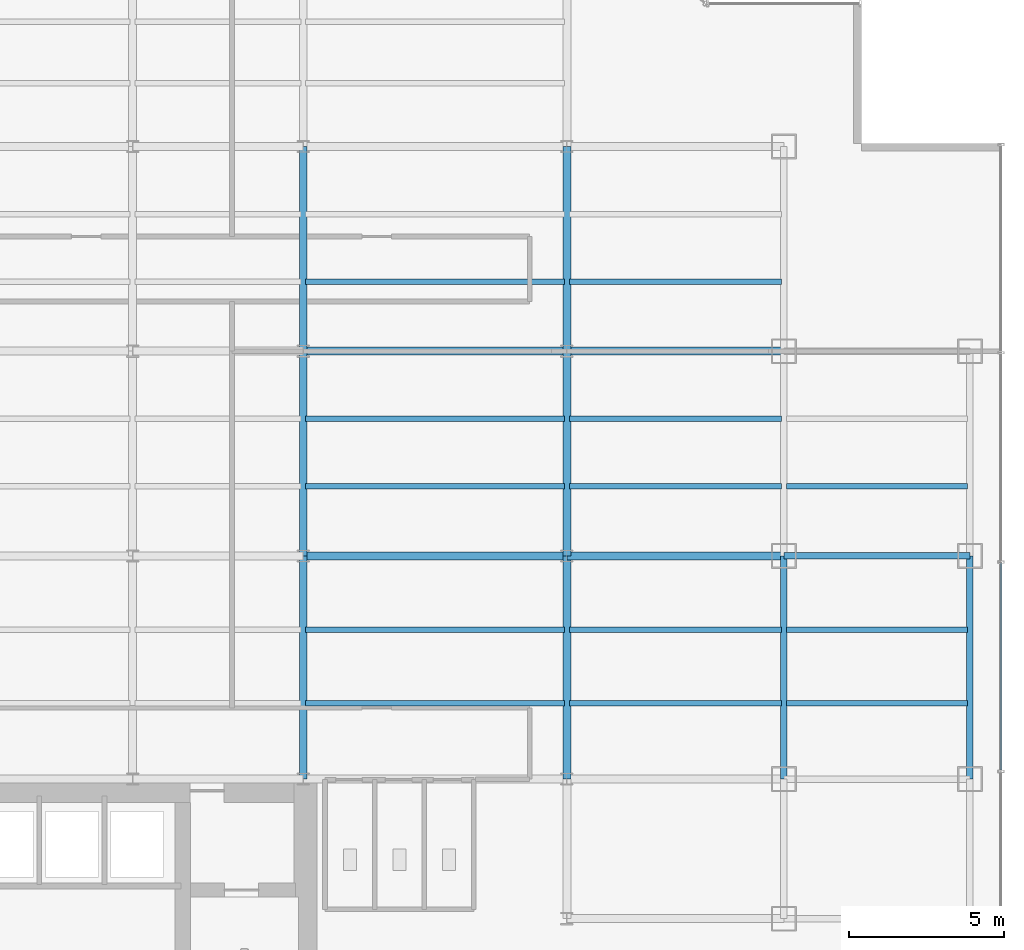
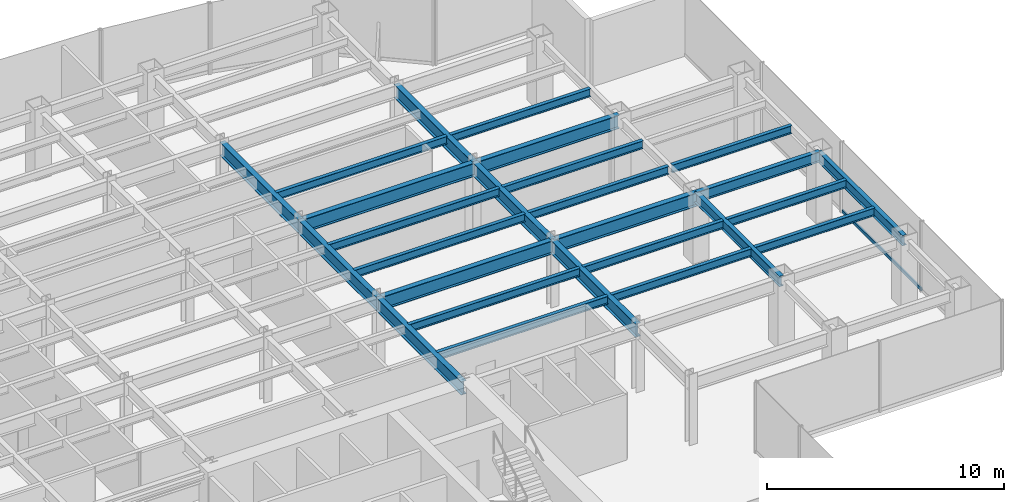
# One storey, part 11 of 26: 26 beams, 1 member, 1 element without a shape of its own.
"""IFC4 building model written with IfcOpenShell, lengths in metres."""

from ifc_helpers import new_model, si_unit, derived_unit, direction, frame, origin, origin_2d, place, context, subcontext, project, spatial, hollow_rectangle, i_section, extrude, source, transform, mapped, material, material_profile, profile_set, type_object, element, aggregate, save


model = new_model("IFC4")

# Units and contexts
model_context = context("Model", 3, precision=1e-05, world=origin(), true_north=direction((0.0, 1.0)))
body_context = subcontext(model_context, "Body", "Model", "MODEL_VIEW")
ifc_project = project(units=[si_unit("LENGTHUNIT", "METRE"), si_unit("AREAUNIT", "SQUARE_METRE"), si_unit("VOLUMEUNIT", "CUBIC_METRE"), si_unit("PLANEANGLEUNIT", "RADIAN"), si_unit("MASSUNIT", "GRAM", prefix="KILO"), derived_unit("THERMALTRANSMITTANCEUNIT", [(si_unit("POWERUNIT", "WATT"), 1), (si_unit("LENGTHUNIT", "METRE"), -2), (si_unit("THERMODYNAMICTEMPERATUREUNIT", "KELVIN"), -1)])], contexts=[model_context])

# Site, building, storey
site_placement = place(None, origin())
site = spatial("IfcSite", under=ifc_project, at=site_placement, CompositionType="ELEMENT")
building_placement = place(site_placement, origin())
building = spatial("IfcBuilding", under=site, at=building_placement, Name="Skarnbrae Concourse Arena and Tower", CompositionType="ELEMENT")
storey_placement = place(building_placement, frame((0.0, 0.0, 110.550048828125)))
storey = spatial("IfcBuildingStorey", under=building, at=storey_placement, Name="L27", CompositionType="ELEMENT", Elevation=110.550048828125)

# Beams
ifc_material_1 = material(Name="Steel CSA G40.21 350W", Category="steel")
ifc_material_profile_1 = material_profile(ifc_material_1, i_section(OverallWidth=0.256103515625, OverallDepth=0.693115234375, WebThickness=0.014404296875, FlangeThickness=0.023681640625, at=origin_2d()), Name="W690X170")
ifc_profile_set_1 = profile_set([ifc_material_profile_1], Name="Steel CSA G40.21 350W")
beam_type_1 = type_object("IfcBeamType", Name="BM-GIRD-W690X170", PredefinedType="BEAM", material=ifc_profile_set_1)
shared_shape_1 = source(origin(), body_context, "Body", "SweptSolid", [
    extrude(i_section(OverallWidth=0.256103515625, OverallDepth=0.693115234375, WebThickness=0.014404296875, FlangeThickness=0.023681640625, at=origin_2d()), origin(), (0.0, 0.0, 1.0), 7.0),
])
for number, where, z_axis, x_axis, name in (
    (1, (42.0, 21.199951171875, 3.053466796875), (1.0, 0.0, 0.0), (0.0, 1.0, 0.0), "L27 Primary E-W girder Y21.2-7"),
    (2, (42.0, 27.800048828125, 3.053466796875), (1.0, 0.0, 0.0), (0.0, 1.0, 0.0), "L27 Primary E-W girder Y27.8-7"),
):
    element("IfcBeam", number, at=place(storey_placement, frame(where, z_axis=z_axis, x_axis=x_axis)), inside=storey, type_object=beam_type_1, Name=name, PredefinedType="BEAM", context=body_context, shape_type="MappedRepresentation", body=[
        mapped(shared_shape_1, transform((0.0, 0.0, 0.0))),
    ])
ifc_material_profile_2 = material_profile(ifc_material_1, i_section(OverallWidth=0.208984375, OverallDepth=0.532958984375, WebThickness=0.01025390625, FlangeThickness=0.015625, at=origin_2d()), Name="W530X92")
ifc_profile_set_2 = profile_set([ifc_material_profile_2], Name="Steel CSA G40.21 350W")
beam_type_2 = type_object("IfcBeamType", Name="BM-SPAN-W530X92", PredefinedType="SPANDREL", material=ifc_profile_set_2)
shared_shape_2 = source(origin(), body_context, "Body", "SweptSolid", [
    extrude(i_section(OverallWidth=0.208984375, OverallDepth=0.532958984375, WebThickness=0.01025390625, FlangeThickness=0.015625, at=origin_2d()), origin(), (0.0, 0.0, 1.0), 6.0),
])
beam_placement = place(storey_placement, frame((49.0, 21.199951171875, 3.133544921875), z_axis=(1.0, 0.0, 0.0), x_axis=(0.0, 1.0, 0.0)))
element("IfcBeam", 3, at=beam_placement, inside=storey, type_object=beam_type_2, Name="L27 Perimeter spandrel Y21.2-8", PredefinedType="SPANDREL", context=body_context, shape_type="MappedRepresentation", body=[
    mapped(shared_shape_2, transform((0.0, 0.0, 0.0))),
])
shared_shape_3 = source(origin(), body_context, "Body", "SweptSolid", [
    extrude(i_section(OverallWidth=0.256103515625, OverallDepth=0.693115234375, WebThickness=0.014404296875, FlangeThickness=0.023681640625, at=origin_2d()), origin(), (0.0, 0.0, 1.0), 6.60009765625),
])
for number, where, z_axis, x_axis, name in (
    (4, (33.5, 21.199951171875, 3.053466796875), (0.0, 1.0, 0.0), (-1.0, 0.0, 0.0), "L27 Primary N-S girder X33.5-2"),
    (5, (42.0, 21.199951171875, 3.053466796875), (0.0, 1.0, 0.0), (-1.0, 0.0, 0.0), "L27 Primary N-S girder X42.0-3"),
):
    element("IfcBeam", number, at=place(storey_placement, frame(where, z_axis=z_axis, x_axis=x_axis)), inside=storey, type_object=beam_type_1, Name=name, PredefinedType="BEAM", context=body_context, shape_type="MappedRepresentation", body=[
        mapped(shared_shape_3, transform((0.0, 0.0, 0.0))),
    ])
shared_shape_4 = source(origin(), body_context, "Body", "SweptSolid", [
    extrude(i_section(OverallWidth=0.256103515625, OverallDepth=0.693115234375, WebThickness=0.014404296875, FlangeThickness=0.023681640625, at=origin_2d()), origin(), (0.0, 0.0, 1.0), 8.5),
])
for number, where, z_axis, x_axis, name in (
    (6, (33.5, 21.199951171875, 3.053466796875), (1.0, 0.0, 0.0), (0.0, 1.0, 0.0), "L27 Primary E-W girder Y21.2-6"),
    (7, (33.5, 27.800048828125, 3.053466796875), (1.0, 0.0, 0.0), (0.0, 1.0, 0.0), "L27 Primary E-W girder Y27.8-6"),
):
    element("IfcBeam", number, at=place(storey_placement, frame(where, z_axis=z_axis, x_axis=x_axis)), inside=storey, type_object=beam_type_1, Name=name, PredefinedType="BEAM", context=body_context, shape_type="MappedRepresentation", body=[
        mapped(shared_shape_4, transform((0.0, 0.0, 0.0))),
    ])
shared_shape_5 = source(origin(), body_context, "Body", "SweptSolid", [
    extrude(i_section(OverallWidth=0.208984375, OverallDepth=0.532958984375, WebThickness=0.01025390625, FlangeThickness=0.015625, at=origin_2d()), origin(), (0.0, 0.0, 1.0), 7.199951171875),
])
for number, where, z_axis, x_axis, name in (
    (8, (49.0, 14.0, 3.133544921875), (0.0, 1.0, 0.0), (-1.0, 0.0, 0.0), "L27 Perimeter spandrel X49.0-2"),
    (9, (55.0, 14.0, 3.133544921875), (0.0, 1.0, 0.0), (-1.0, 0.0, 0.0), "L27 Perimeter spandrel X55.0-2"),
):
    element("IfcBeam", number, at=place(storey_placement, frame(where, z_axis=z_axis, x_axis=x_axis)), inside=storey, type_object=beam_type_2, Name=name, PredefinedType="SPANDREL", context=body_context, shape_type="MappedRepresentation", body=[
        mapped(shared_shape_5, transform((0.0, 0.0, 0.0))),
    ])
shared_shape_6 = source(origin(), body_context, "Body", "SweptSolid", [
    extrude(i_section(OverallWidth=0.256103515625, OverallDepth=0.693115234375, WebThickness=0.014404296875, FlangeThickness=0.023681640625, at=origin_2d()), origin(), (0.0, 0.0, 1.0), 7.199951171875),
])
for number, where, z_axis, x_axis, name in (
    (10, (33.5, 14.0, 3.053466796875), (0.0, 1.0, 0.0), (-1.0, 0.0, 0.0), "L27 Primary N-S girder X33.5-1"),
    (11, (42.0, 14.0, 3.053466796875), (0.0, 1.0, 0.0), (-1.0, 0.0, 0.0), "L27 Primary N-S girder X42.0-2"),
):
    element("IfcBeam", number, at=place(storey_placement, frame(where, z_axis=z_axis, x_axis=x_axis)), inside=storey, type_object=beam_type_1, Name=name, PredefinedType="BEAM", context=body_context, shape_type="MappedRepresentation", body=[
        mapped(shared_shape_6, transform((0.0, 0.0, 0.0))),
    ])
shared_shape_7 = source(origin(), body_context, "Body", "SweptSolid", [
    extrude(i_section(OverallWidth=0.256103515625, OverallDepth=0.693115234375, WebThickness=0.014404296875, FlangeThickness=0.023681640625, at=origin_2d()), origin(), (0.0, 0.0, 1.0), 6.599853515625),
])
for number, where, z_axis, x_axis, name in (
    (12, (33.5, 27.800048828125, 3.053466796875), (0.0, 1.0, 0.0), (-1.0, 0.0, 0.0), "L27 Primary N-S girder X33.5-3"),
    (13, (42.0, 27.800048828125, 3.053466796875), (0.0, 1.0, 0.0), (-1.0, 0.0, 0.0), "L27 Primary N-S girder X42.0-4"),
):
    element("IfcBeam", number, at=place(storey_placement, frame(where, z_axis=z_axis, x_axis=x_axis)), inside=storey, type_object=beam_type_1, Name=name, PredefinedType="BEAM", context=body_context, shape_type="MappedRepresentation", body=[
        mapped(shared_shape_7, transform((0.0, 0.0, 0.0))),
    ])
ifc_material_profile_3 = material_profile(ifc_material_1, i_section(OverallWidth=0.177978515625, OverallDepth=0.406982421875, WebThickness=0.0078125, FlangeThickness=0.0126953125, at=origin_2d()), Name="W410X60")
ifc_profile_set_3 = profile_set([ifc_material_profile_3], Name="Steel CSA G40.21 350W")
beam_type_3 = type_object("IfcBeamType", Name="BM-JOIST-W410X60", PredefinedType="JOIST", material=ifc_profile_set_3)
shared_shape_8 = source(origin(), body_context, "Body", "SweptSolid", [
    extrude(i_section(OverallWidth=0.177978515625, OverallDepth=0.406982421875, WebThickness=0.0078125, FlangeThickness=0.0126953125, at=origin_2d()), origin(), (0.0, 0.0, 1.0), 8.33984375),
])
for number, where, z_axis, x_axis, name in (
    (14, (33.580078125, 16.447998046875, 3.196533203125), (1.0, 0.0, 0.0), (0.0, 1.0, 0.0), "L27 Secondary floor joist 1.1.6"),
    (15, (33.580078125, 18.823974609375, 3.196533203125), (1.0, 0.0, 0.0), (0.0, 1.0, 0.0), "L27 Secondary floor joist 1.2.6"),
    (16, (33.580078125, 23.444091796875, 3.196533203125), (1.0, 0.0, 0.0), (0.0, 1.0, 0.0), "L27 Secondary floor joist 2.1.6"),
    (17, (33.580078125, 25.6220703125, 3.196533203125), (1.0, 0.0, 0.0), (0.0, 1.0, 0.0), "L27 Secondary floor joist 2.2.6"),
    (18, (33.580078125, 30.0439453125, 3.196533203125), (1.0, 0.0, 0.0), (0.0, 1.0, 0.0), "L27 Secondary floor joist 3.1.5"),
):
    element("IfcBeam", number, at=place(storey_placement, frame(where, z_axis=z_axis, x_axis=x_axis)), inside=storey, type_object=beam_type_3, Name=name, PredefinedType="JOIST", context=body_context, shape_type="MappedRepresentation", body=[
        mapped(shared_shape_8, transform((0.0, 0.0, 0.0))),
    ])
shared_shape_9 = source(origin(), body_context, "Body", "SweptSolid", [
    extrude(i_section(OverallWidth=0.177978515625, OverallDepth=0.406982421875, WebThickness=0.0078125, FlangeThickness=0.0126953125, at=origin_2d()), origin(), (0.0, 0.0, 1.0), 6.83984375),
])
for number, where, z_axis, x_axis, name in (
    (19, (42.080078125, 16.447998046875, 3.196533203125), (1.0, 0.0, 0.0), (0.0, 1.0, 0.0), "L27 Secondary floor joist 1.1.7"),
    (20, (42.080078125, 18.823974609375, 3.196533203125), (1.0, 0.0, 0.0), (0.0, 1.0, 0.0), "L27 Secondary floor joist 1.2.7"),
    (21, (42.080078125, 23.444091796875, 3.196533203125), (1.0, 0.0, 0.0), (0.0, 1.0, 0.0), "L27 Secondary floor joist 2.1.7"),
    (22, (42.080078125, 25.6220703125, 3.196533203125), (1.0, 0.0, 0.0), (0.0, 1.0, 0.0), "L27 Secondary floor joist 2.2.7"),
    (23, (42.080078125, 30.0439453125, 3.196533203125), (1.0, 0.0, 0.0), (0.0, 1.0, 0.0), "L27 Secondary floor joist 3.1.6"),
):
    element("IfcBeam", number, at=place(storey_placement, frame(where, z_axis=z_axis, x_axis=x_axis)), inside=storey, type_object=beam_type_3, Name=name, PredefinedType="JOIST", context=body_context, shape_type="MappedRepresentation", body=[
        mapped(shared_shape_9, transform((0.0, 0.0, 0.0))),
    ])
shared_shape_10 = source(origin(), body_context, "Body", "SweptSolid", [
    extrude(i_section(OverallWidth=0.177978515625, OverallDepth=0.406982421875, WebThickness=0.0078125, FlangeThickness=0.0126953125, at=origin_2d()), origin(), (0.0, 0.0, 1.0), 5.83984375),
])
for number, where, z_axis, x_axis, name in (
    (24, (49.080078125, 16.447998046875, 3.196533203125), (1.0, 0.0, 0.0), (0.0, 1.0, 0.0), "L27 Secondary floor joist 1.1.8"),
    (25, (49.080078125, 18.823974609375, 3.196533203125), (1.0, 0.0, 0.0), (0.0, 1.0, 0.0), "L27 Secondary floor joist 1.2.8"),
    (26, (49.080078125, 23.444091796875, 3.196533203125), (1.0, 0.0, 0.0), (0.0, 1.0, 0.0), "L27 Secondary floor joist 2.1.8"),
):
    element("IfcBeam", number, at=place(storey_placement, frame(where, z_axis=z_axis, x_axis=x_axis)), inside=storey, type_object=beam_type_3, Name=name, PredefinedType="JOIST", context=body_context, shape_type="MappedRepresentation", body=[
        mapped(shared_shape_10, transform((0.0, 0.0, 0.0))),
    ])

# Curtain wall, member
ifc_material_2 = material(Name="Bronze anodised aluminium 6063-T6", Category="aluminium")
curtain_wall_type = type_object("IfcCurtainWallType", Name="CW-SYS-04-MIDZONE", PredefinedType="USERDEFINED", material=ifc_material_2)
curtain_wall_placement = place(storey_placement, origin())
curtain_wall = element("IfcCurtainWall", 27, at=curtain_wall_placement, inside=storey, type_object=curtain_wall_type, Name="L27 Unitised curtain wall CW-L27-E04", ObjectType="UNITISED CURTAIN WALL", PredefinedType="USERDEFINED")
ifc_material_profile_4 = material_profile(ifc_material_2, hollow_rectangle(XDim=0.074951171875, YDim=0.159912109375, WallThickness=0.00439453125, at=origin_2d()), Name="ALU-TRAN-75X160")
ifc_profile_set_4 = profile_set([ifc_material_profile_4], Name="Bronze anodised aluminium 6063-T6")
member_type = type_object("IfcMemberType", Name="CWT-CW-04", PredefinedType="USERDEFINED", material=ifc_profile_set_4)
shared_shape_11 = source(origin(), body_context, "Body", "SweptSolid", [
    extrude(hollow_rectangle(XDim=0.074951171875, YDim=0.159912109375, WallThickness=0.00439453125, at=origin_2d()), origin(), (0.0, 0.0, 1.0), 6.6748046875),
])
member_placement = place(storey_placement, frame((56.0, 14.28759765625, 0.079833984375), z_axis=(0.0, 1.0, 0.0), x_axis=(-1.0, 0.0, 0.0)))
member = element("IfcMember", 28, at=member_placement, type_object=member_type, Name="CW-L27-E04 Transom 2", ObjectType="TRANSOM", PredefinedType="USERDEFINED", context=body_context, shape_type="MappedRepresentation", body=[
    mapped(shared_shape_11, transform((0.0, 0.0, 0.0))),
])
aggregate(curtain_wall, [member])

save(model, "model.ifc")
